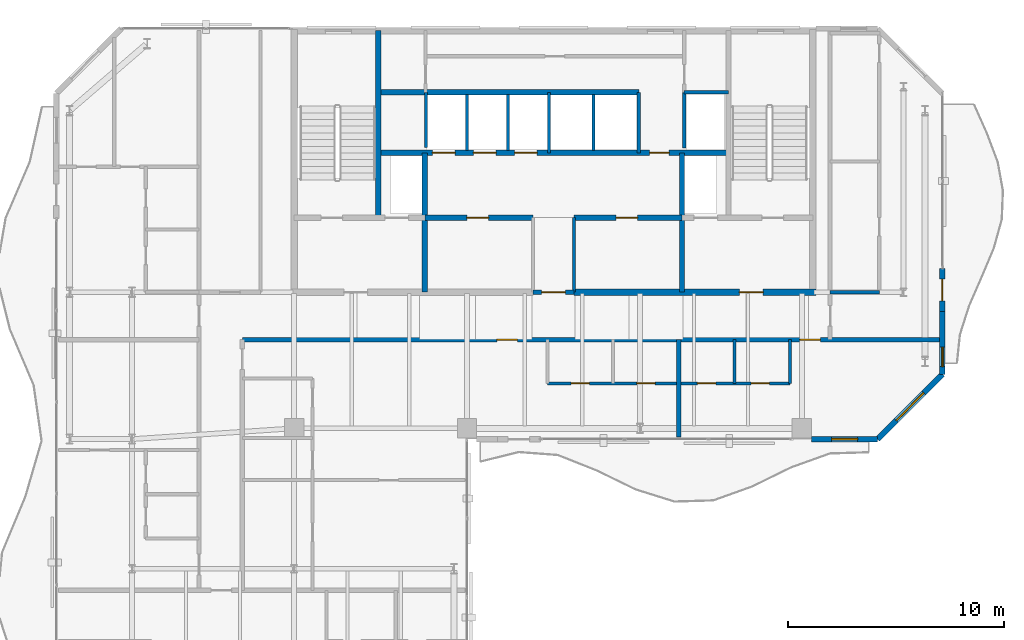
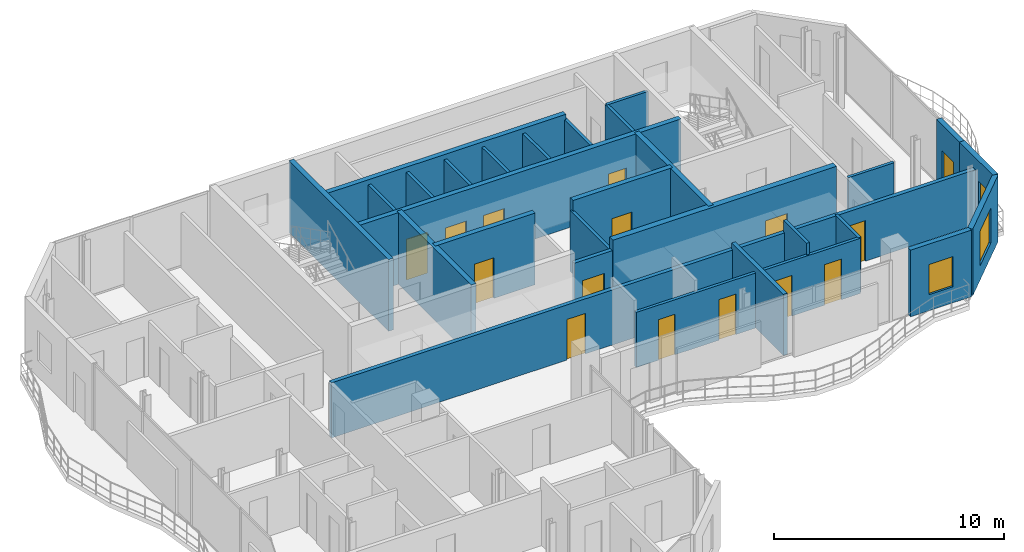
# One storey, part 19 of 22: 28 walls, 15 doors, 3 windows, 18 openings.
"""IFC4 building model written with IfcOpenShell, lengths in metres."""

from ifc_helpers import new_model, si_unit, direction, frame, frame_2d, origin, place, context, subcontext, project, spatial, rectangle, extrude, material, layer, layer_set, type_object, element, fill, save


model = new_model("IFC4")

# Units and contexts
model_context = context("Model", 3, precision=1e-05, world=origin(), true_north=direction((0.0, 1.0)))
body_context = subcontext(model_context, "Body", "Model", "MODEL_VIEW")
ifc_project = project(units=[si_unit("LENGTHUNIT", "METRE"), si_unit("AREAUNIT", "SQUARE_METRE"), si_unit("VOLUMEUNIT", "CUBIC_METRE"), si_unit("PLANEANGLEUNIT", "RADIAN"), si_unit("MASSUNIT", "GRAM", prefix="KILO")], contexts=[model_context])

# Site, building, storey
site_placement = place(None, origin())
site = spatial("IfcSite", under=ifc_project, at=site_placement, CompositionType="ELEMENT")
building_placement = place(site_placement, origin())
building = spatial("IfcBuilding", under=site, at=building_placement, Name="Catumbela Crestline Tower", CompositionType="ELEMENT")
storey_placement = place(building_placement, frame((0.0, 0.0, 222.2)))
storey = spatial("IfcBuildingStorey", under=building, at=storey_placement, Name="L57", CompositionType="ELEMENT", Elevation=222.2)

# Walls
ifc_material_1 = material(Name="Concrete C50/60", Category="concrete")
ifc_layer_1 = layer(ifc_material_1, 0.25, Name="Concrete C50/60")
ifc_layer_set_1 = layer_set([ifc_layer_1], Name="Concrete C50/60")
wall_type_1 = type_object("IfcWallType", Name="CW-250D", PredefinedType="SHEAR", material=ifc_layer_set_1)
wall_1_placement = place(storey_placement, frame((19.9, 34.25, 0.0), z_axis=(0.0, 0.0, 1.0), x_axis=(0.0, 1.0, 0.0)))
element("IfcWall", 1, at=wall_1_placement, inside=storey, type_object=wall_type_1, Name="L57 Structural Core Shear Wall WWEB", PredefinedType="SHEAR", context=body_context, shape_type="SweptSolid", body=[
    extrude(rectangle(XDim=8.65, YDim=0.25, at=frame_2d((4.325, 0.0))), origin(), (0.0, 0.0, 1.0), 3.8),
])
for number, where, z_axis, x_axis, name in (
    (2, (22.05, 30.8, 0.0), (0.0, 0.0, 1.0), (0.0, 1.0, 0.0), "L57 Structural Core Shear Wall FFW"),
    (3, (33.95, 30.8, 0.0), (0.0, 0.0, 1.0), (0.0, 1.0, 0.0), "L57 Structural Core Shear Wall FFE"),
):
    element("IfcWall", number, at=place(storey_placement, frame(where, z_axis=z_axis, x_axis=x_axis)), inside=storey, type_object=wall_type_1, Name=name, PredefinedType="SHEAR", context=body_context, shape_type="SweptSolid", body=[
        extrude(rectangle(XDim=6.45, YDim=0.25, at=frame_2d((3.225, 0.0))), origin(), (0.0, 0.0, 1.0), 3.8),
    ])

# Wall, opening, door
wall_2_placement = place(storey_placement, frame((22.05, 34.25, 0.0), z_axis=(0.0, 0.0, 1.0), x_axis=(1.0, 0.0, 0.0)))
wall_2 = element("IfcWall", 4, at=wall_2_placement, inside=storey, type_object=wall_type_1, Name="L57 Structural Core Shear Wall LIFTS-W", PredefinedType="SHEAR", context=body_context, shape_type="SweptSolid", body=[
    extrude(rectangle(XDim=5.0, YDim=0.25, at=frame_2d((2.5, 0.0))), origin(), (0.0, 0.0, 1.0), 3.8),
])
opening_1_placement = place(wall_2_placement, frame((1.95, 0.0, 0.0)))
opening_1 = element("IfcOpeningElement", 5, at=opening_1_placement, cuts=wall_2, Name="Opening DF9-100", PredefinedType="OPENING", context=body_context, shape_type="SweptSolid", body=[
    extrude(rectangle(XDim=1.0, YDim=2.15, at=frame_2d((0.5, 1.075))), frame((0.0, 0.135, 0.0), z_axis=(0.0, -1.0, 0.0), x_axis=(1.0, 0.0, 0.0)), (0.0, 0.0, 1.0), 0.27),
])
ifc_material_2 = material(Name="Stainless steel EN 1.4401", Category="steel")
door_type_1 = type_object("IfcDoorType", Name="DF9-100", OperationType="NOTDEFINED", PredefinedType="DOOR", material=ifc_material_2)
door_1_placement = place(opening_1_placement, origin())
door_1 = element("IfcDoor", 6, at=door_1_placement, inside=storey, type_object=door_type_1, Name="L57 Interior Door DR-L57-RECL1", OperationType="SINGLE_SWING_LEFT", OverallHeight=2.15, OverallWidth=1.0, PredefinedType="DOOR", context=body_context, shape_type="SweptSolid", body=[
    extrude(rectangle(XDim=1.0, YDim=2.15, at=frame_2d((0.5, 1.075))), frame((0.0, 0.025, 0.0), z_axis=(0.0, -1.0, 0.0), x_axis=(1.0, 0.0, 0.0)), (0.0, 0.0, 1.0), 0.05),
])
fill(opening_1, door_1)

wall_3_placement = place(storey_placement, frame((28.95, 34.25, 0.0), z_axis=(0.0, 0.0, 1.0), x_axis=(1.0, 0.0, 0.0)))
wall_3 = element("IfcWall", 7, at=wall_3_placement, inside=storey, type_object=wall_type_1, Name="L57 Structural Core Shear Wall LIFTS-E", PredefinedType="SHEAR", context=body_context, shape_type="SweptSolid", body=[
    extrude(rectangle(XDim=5.0, YDim=0.25, at=frame_2d((2.5, 0.0))), origin(), (0.0, 0.0, 1.0), 3.8),
])
opening_2_placement = place(wall_3_placement, frame((1.95, 0.0, 0.0)))
opening_2 = element("IfcOpeningElement", 8, at=opening_2_placement, cuts=wall_3, Name="Opening DF9-100", PredefinedType="OPENING", context=body_context, shape_type="SweptSolid", body=[
    extrude(rectangle(XDim=1.0, YDim=2.15, at=frame_2d((0.5, 1.075))), frame((0.0, 0.135, 0.0), z_axis=(0.0, -1.0, 0.0), x_axis=(1.0, 0.0, 0.0)), (0.0, 0.0, 1.0), 0.27),
])
door_2_placement = place(opening_2_placement, origin())
door_2 = element("IfcDoor", 9, at=door_2_placement, inside=storey, type_object=door_type_1, Name="L57 Interior Door DR-L57-RECL2", OperationType="SINGLE_SWING_RIGHT", OverallHeight=2.15, OverallWidth=1.0, PredefinedType="DOOR", context=body_context, shape_type="SweptSolid", body=[
    extrude(rectangle(XDim=1.0, YDim=2.15, at=frame_2d((0.5, 1.075))), frame((0.0, 0.025, 0.0), z_axis=(0.0, -1.0, 0.0), x_axis=(1.0, 0.0, 0.0)), (0.0, 0.0, 1.0), 0.05),
])
fill(opening_2, door_2)

# Wall, openings, doors
wall_4_placement = place(storey_placement, frame((19.9, 37.25, 0.0), z_axis=(0.0, 0.0, 1.0), x_axis=(1.0, 0.0, 0.0)))
wall_4 = element("IfcWall", 10, at=wall_4_placement, inside=storey, type_object=wall_type_1, Name="L57 Structural Core Shear Wall LIFTN", PredefinedType="SHEAR", context=body_context, shape_type="SweptSolid", body=[
    extrude(rectangle(XDim=16.2, YDim=0.25, at=frame_2d((8.1, 0.0))), origin(), (0.0, 0.0, 1.0), 3.8),
])
opening_3_placement = place(wall_4_placement, frame((12.55, 0.0, 0.0)))
opening_3 = element("IfcOpeningElement", 11, at=opening_3_placement, cuts=wall_4, Name="Opening DF9-090", PredefinedType="OPENING", context=body_context, shape_type="SweptSolid", body=[
    extrude(rectangle(XDim=0.9, YDim=2.15, at=frame_2d((0.45, 1.075))), frame((0.0, 0.135, 0.0), z_axis=(0.0, -1.0, 0.0), x_axis=(1.0, 0.0, 0.0)), (0.0, 0.0, 1.0), 0.27),
])
opening_4_placement = place(wall_4_placement, frame((2.5, 0.0, 0.0)))
opening_4 = element("IfcOpeningElement", 12, at=opening_4_placement, cuts=wall_4, Name="Opening LD-105", PredefinedType="OPENING", context=body_context, shape_type="SweptSolid", body=[
    extrude(rectangle(XDim=1.05, YDim=2.15, at=frame_2d((0.525, 1.075))), frame((0.0, 0.135, 0.0), z_axis=(0.0, -1.0, 0.0), x_axis=(1.0, 0.0, 0.0)), (0.0, 0.0, 1.0), 0.27),
])
opening_5_placement = place(wall_4_placement, frame((4.4, 0.0, 0.0)))
opening_5 = element("IfcOpeningElement", 13, at=opening_5_placement, cuts=wall_4, Name="Opening LD-105", PredefinedType="OPENING", context=body_context, shape_type="SweptSolid", body=[
    extrude(rectangle(XDim=1.05, YDim=2.15, at=frame_2d((0.525, 1.075))), frame((0.0, 0.135, 0.0), z_axis=(0.0, -1.0, 0.0), x_axis=(1.0, 0.0, 0.0)), (0.0, 0.0, 1.0), 0.27),
])
opening_6_placement = place(wall_4_placement, frame((6.3, 0.0, 0.0)))
opening_6 = element("IfcOpeningElement", 14, at=opening_6_placement, cuts=wall_4, Name="Opening LD-105", PredefinedType="OPENING", context=body_context, shape_type="SweptSolid", body=[
    extrude(rectangle(XDim=1.05, YDim=2.15, at=frame_2d((0.525, 1.075))), frame((0.0, 0.135, 0.0), z_axis=(0.0, -1.0, 0.0), x_axis=(1.0, 0.0, 0.0)), (0.0, 0.0, 1.0), 0.27),
])
door_type_2 = type_object("IfcDoorType", Name="DF9-090", OperationType="NOTDEFINED", PredefinedType="DOOR", material=ifc_material_2)
door_3_placement = place(opening_3_placement, origin())
door_3 = element("IfcDoor", 15, at=door_3_placement, inside=storey, type_object=door_type_2, Name="L57 Interior Door DR-L57-CPAS1", OperationType="SINGLE_SWING_LEFT", OverallHeight=2.15, OverallWidth=0.9, PredefinedType="DOOR", context=body_context, shape_type="SweptSolid", body=[
    extrude(rectangle(XDim=0.9, YDim=2.15, at=frame_2d((0.45, 1.075))), frame((0.0, 0.025, 0.0), z_axis=(0.0, -1.0, 0.0), x_axis=(1.0, 0.0, 0.0)), (0.0, 0.0, 1.0), 0.05),
])
fill(opening_3, door_3)
door_type_3 = type_object("IfcDoorType", Name="LD-105", OperationType="NOTDEFINED", PredefinedType="DOOR", material=ifc_material_2)
door_4_placement = place(opening_4_placement, origin())
door_4 = element("IfcDoor", 16, at=door_4_placement, inside=storey, type_object=door_type_3, Name="L57 Lift Landing Sliding Door PL-H1", OperationType="DOUBLE_DOOR_SLIDING", OverallHeight=2.15, OverallWidth=1.05, PredefinedType="DOOR", context=body_context, shape_type="SweptSolid", body=[
    extrude(rectangle(XDim=1.05, YDim=2.15, at=frame_2d((0.525, 1.075))), frame((0.0, 0.025, 0.0), z_axis=(0.0, -1.0, 0.0), x_axis=(1.0, 0.0, 0.0)), (0.0, 0.0, 1.0), 0.05),
])
fill(opening_4, door_4)
door_5_placement = place(opening_5_placement, origin())
door_5 = element("IfcDoor", 17, at=door_5_placement, inside=storey, type_object=door_type_3, Name="L57 Lift Landing Sliding Door PL-H2", OperationType="DOUBLE_DOOR_SLIDING", OverallHeight=2.15, OverallWidth=1.05, PredefinedType="DOOR", context=body_context, shape_type="SweptSolid", body=[
    extrude(rectangle(XDim=1.05, YDim=2.15, at=frame_2d((0.525, 1.075))), frame((0.0, 0.025, 0.0), z_axis=(0.0, -1.0, 0.0), x_axis=(1.0, 0.0, 0.0)), (0.0, 0.0, 1.0), 0.05),
])
fill(opening_5, door_5)
door_6_placement = place(opening_6_placement, origin())
door_6 = element("IfcDoor", 18, at=door_6_placement, inside=storey, type_object=door_type_3, Name="L57 Lift Landing Sliding Door PL-H3", OperationType="DOUBLE_DOOR_SLIDING", OverallHeight=2.15, OverallWidth=1.05, PredefinedType="DOOR", context=body_context, shape_type="SweptSolid", body=[
    extrude(rectangle(XDim=1.05, YDim=2.15, at=frame_2d((0.525, 1.075))), frame((0.0, 0.025, 0.0), z_axis=(0.0, -1.0, 0.0), x_axis=(1.0, 0.0, 0.0)), (0.0, 0.0, 1.0), 0.05),
])
fill(opening_6, door_6)

# Wall
wall_5_placement = place(storey_placement, frame((19.9, 40.05, 0.0), z_axis=(0.0, 0.0, 1.0), x_axis=(1.0, 0.0, 0.0)))
element("IfcWall", 19, at=wall_5_placement, inside=storey, type_object=wall_type_1, Name="L57 Structural Core Shear Wall COREN", PredefinedType="SHEAR", context=body_context, shape_type="SweptSolid", body=[
    extrude(rectangle(XDim=12.05, YDim=0.25, at=frame_2d((6.025, 0.0))), origin(), (0.0, 0.0, 1.0), 3.8),
])

# Wall, opening, door
ifc_material_3 = material(Name="Concrete C45/55", Category="concrete")
ifc_layer_2 = layer(ifc_material_3, 0.3, Name="Concrete C45/55")
ifc_layer_set_2 = layer_set([ifc_layer_2], Name="Concrete C45/55")
wall_type_2 = type_object("IfcWallType", Name="CW-300C", PredefinedType="SHEAR", material=ifc_layer_set_2)
wall_6_placement = place(storey_placement, frame((28.95, 30.8, 0.0), z_axis=(0.0, 0.0, 1.0), x_axis=(1.0, 0.0, 0.0)))
wall_6 = element("IfcWall", 20, at=wall_6_placement, inside=storey, type_object=wall_type_2, Name="L57 Structural Core Shear Wall SE", PredefinedType="SHEAR", context=body_context, shape_type="SweptSolid", body=[
    extrude(rectangle(XDim=11.2, YDim=0.3, at=frame_2d((5.6, 0.0))), origin(), (0.0, 0.0, 1.0), 3.8),
])
opening_7_placement = place(wall_6_placement, frame((7.65, 0.0, 0.0)))
opening_7 = element("IfcOpeningElement", 21, at=opening_7_placement, cuts=wall_6, Name="Opening DF9-110", PredefinedType="OPENING", context=body_context, shape_type="SweptSolid", body=[
    extrude(rectangle(XDim=1.1, YDim=2.15, at=frame_2d((0.55, 1.075))), frame((0.0, 0.16, 0.0), z_axis=(0.0, -1.0, 0.0), x_axis=(1.0, 0.0, 0.0)), (0.0, 0.0, 1.0), 0.32),
])
door_type_4 = type_object("IfcDoorType", Name="DF9-110", OperationType="NOTDEFINED", PredefinedType="DOOR", material=ifc_material_2)
door_7_placement = place(opening_7_placement, origin())
door_7 = element("IfcDoor", 22, at=door_7_placement, inside=storey, type_object=door_type_4, Name="L57 Interior Door DR-L57-FFE-S", OperationType="SINGLE_SWING_RIGHT", OverallHeight=2.15, OverallWidth=1.1, PredefinedType="DOOR", context=body_context, shape_type="SweptSolid", body=[
    extrude(rectangle(XDim=1.1, YDim=2.15, at=frame_2d((0.55, 1.075))), frame((0.0, 0.025, 0.0), z_axis=(0.0, -1.0, 0.0), x_axis=(1.0, 0.0, 0.0)), (0.0, 0.0, 1.0), 0.05),
])
fill(opening_7, door_7)

ifc_material_4 = material(Name="Acoustic gypsum and mineral-wool partition")
ifc_layer_3 = layer(ifc_material_4, 0.2, Name="Acoustic gypsum and mineral-wool partition")
ifc_layer_set_3 = layer_set([ifc_layer_3], Name="Acoustic gypsum and mineral-wool partition")
wall_type_3 = type_object("IfcWallType", Name="WC-200", PredefinedType="PARTITIONING", material=ifc_layer_set_3)
wall_7_placement = place(storey_placement, frame((27.05, 30.8, 0.0), z_axis=(0.0, 0.0, 1.0), x_axis=(1.0, 0.0, 0.0)))
wall_7 = element("IfcWall", 23, at=wall_7_placement, inside=storey, type_object=wall_type_3, Name="L57 Interior Partition PW-L57-CLOBS", PredefinedType="PARTITIONING", context=body_context, shape_type="SweptSolid", body=[
    extrude(rectangle(XDim=1.9, YDim=0.2, at=frame_2d((0.95, 0.0))), origin(), (0.0, 0.0, 1.0), 3.22),
])
opening_8_placement = place(wall_7_placement, frame((0.4, 0.0, 0.0)))
opening_8 = element("IfcOpeningElement", 24, at=opening_8_placement, cuts=wall_7, Name="Opening DF9-110", PredefinedType="OPENING", context=body_context, shape_type="SweptSolid", body=[
    extrude(rectangle(XDim=1.1, YDim=2.15, at=frame_2d((0.55, 1.075))), frame((0.0, 0.11, 0.0), z_axis=(0.0, -1.0, 0.0), x_axis=(1.0, 0.0, 0.0)), (0.0, 0.0, 1.0), 0.22),
])
door_8_placement = place(opening_8_placement, origin())
door_8 = element("IfcDoor", 25, at=door_8_placement, inside=storey, type_object=door_type_4, Name="L57 Interior Door DR-L57-CLOBS", OperationType="SINGLE_SWING_LEFT", OverallHeight=2.15, OverallWidth=1.1, PredefinedType="DOOR", context=body_context, shape_type="SweptSolid", body=[
    extrude(rectangle(XDim=1.1, YDim=2.15, at=frame_2d((0.55, 1.075))), frame((0.0, 0.025, 0.0), z_axis=(0.0, -1.0, 0.0), x_axis=(1.0, 0.0, 0.0)), (0.0, 0.0, 1.0), 0.05),
])
fill(opening_8, door_8)

# Wall, openings, doors
wall_8_placement = place(storey_placement, frame((13.6, 28.6, 0.0), z_axis=(0.0, 0.0, 1.0), x_axis=(1.0, 0.0, 0.0)))
wall_8 = element("IfcWall", 26, at=wall_8_placement, inside=storey, type_object=wall_type_3, Name="L57 Interior Partition PW-L57-RCWR", PredefinedType="PARTITIONING", context=body_context, shape_type="SweptSolid", body=[
    extrude(rectangle(XDim=32.3, YDim=0.2, at=frame_2d((16.15, 0.0))), origin(), (0.0, 0.0, 1.0), 2.92),
])
opening_9_placement = place(wall_8_placement, frame((11.787, 0.0, 0.0)))
opening_9 = element("IfcOpeningElement", 27, at=opening_9_placement, cuts=wall_8, Name="Opening DF6-095", PredefinedType="OPENING", context=body_context, shape_type="SweptSolid", body=[
    extrude(rectangle(XDim=0.95, YDim=2.15, at=frame_2d((0.475, 1.075))), frame((0.0, 0.11, 0.0), z_axis=(0.0, -1.0, 0.0), x_axis=(1.0, 0.0, 0.0)), (0.0, 0.0, 1.0), 0.22),
])
opening_10_placement = place(wall_8_placement, frame((25.8, 0.0, 0.0)))
opening_10 = element("IfcOpeningElement", 28, at=opening_10_placement, cuts=wall_8, Name="Opening DF6-095", PredefinedType="OPENING", context=body_context, shape_type="SweptSolid", body=[
    extrude(rectangle(XDim=0.95, YDim=2.15, at=frame_2d((0.475, 1.075))), frame((0.0, 0.11, 0.0), z_axis=(0.0, -1.0, 0.0), x_axis=(1.0, 0.0, 0.0)), (0.0, 0.0, 1.0), 0.22),
])
ifc_material_5 = material(Name="Aluminium alloy AW-6060-T66", Category="aluminium")
door_type_5 = type_object("IfcDoorType", Name="DF6-095", OperationType="NOTDEFINED", PredefinedType="DOOR", material=ifc_material_5)
door_9_placement = place(opening_9_placement, origin())
door_9 = element("IfcDoor", 29, at=door_9_placement, inside=storey, type_object=door_type_5, Name="L57 Interior Door DR-L57-S1-ENT", OperationType="SINGLE_SWING_LEFT", OverallHeight=2.15, OverallWidth=0.95, PredefinedType="DOOR", context=body_context, shape_type="SweptSolid", body=[
    extrude(rectangle(XDim=0.95, YDim=2.15, at=frame_2d((0.475, 1.075))), frame((0.0, 0.025, 0.0), z_axis=(0.0, -1.0, 0.0), x_axis=(1.0, 0.0, 0.0)), (0.0, 0.0, 1.0), 0.05),
])
fill(opening_9, door_9)
door_10_placement = place(opening_10_placement, origin())
door_10 = element("IfcDoor", 30, at=door_10_placement, inside=storey, type_object=door_type_5, Name="L57 Interior Door DR-L57-S2-ENT", OperationType="SINGLE_SWING_RIGHT", OverallHeight=2.15, OverallWidth=0.95, PredefinedType="DOOR", context=body_context, shape_type="SweptSolid", body=[
    extrude(rectangle(XDim=0.95, YDim=2.15, at=frame_2d((0.475, 1.075))), frame((0.0, 0.025, 0.0), z_axis=(0.0, -1.0, 0.0), x_axis=(1.0, 0.0, 0.0)), (0.0, 0.0, 1.0), 0.05),
])
fill(opening_10, door_10)

# Wall, opening, window
ifc_material_6 = material(Name="Angolan grey-ochre granite", Category="masonry")
ifc_layer_4 = layer(ifc_material_6, 0.25, Name="Angolan grey-ochre granite")
ifc_layer_set_4 = layer_set([ifc_layer_4], Name="Angolan grey-ochre granite")
wall_type_4 = type_object("IfcWallType", Name="WE-250", PredefinedType="STANDARD", material=ifc_layer_set_4)
wall_9_placement = place(storey_placement, frame((39.95, 24.0, 0.0), z_axis=(0.0, 0.0, 1.0), x_axis=(1.0, 0.0, 0.0)))
wall_9 = element("IfcWall", 31, at=wall_9_placement, inside=storey, type_object=wall_type_4, Name="L57 Granite Punched Window Wall 3-3", PredefinedType="STANDARD", context=body_context, shape_type="SweptSolid", body=[
    extrude(rectangle(XDim=3.05, YDim=0.25, at=frame_2d((1.525, 0.0))), origin(), (0.0, 0.0, 1.0), 3.53),
])
opening_11_placement = place(wall_9_placement, frame((0.925, 0.0, 0.85)))
opening_11 = element("IfcOpeningElement", 32, at=opening_11_placement, cuts=wall_9, Name="Opening WN-02", PredefinedType="OPENING", context=body_context, shape_type="SweptSolid", body=[
    extrude(rectangle(XDim=1.2, YDim=1.6, at=frame_2d((0.6, 0.8))), frame((0.0, 0.135, 0.0), z_axis=(0.0, -1.0, 0.0), x_axis=(1.0, 0.0, 0.0)), (0.0, 0.0, 1.0), 0.27),
])
ifc_material_7 = material(Name="Low-E laminated solar-control double glazing", Category="glass")
window_type_1 = type_object("IfcWindowType", Name="WO-1200", PartitioningType="SINGLE_PANEL", PredefinedType="WINDOW", material=ifc_material_7)
window_1_placement = place(opening_11_placement, origin())
window_1 = element("IfcWindow", 33, at=window_1_placement, inside=storey, type_object=window_type_1, Name="L57 Facade Vision Window 396", OverallHeight=1.6, OverallWidth=1.2, PartitioningType="SINGLE_PANEL", PredefinedType="WINDOW", context=body_context, shape_type="SweptSolid", body=[
    extrude(rectangle(XDim=1.2, YDim=1.6, at=frame_2d((0.6, 0.8))), frame((0.0, 0.03, 0.0), z_axis=(0.0, -1.0, 0.0), x_axis=(1.0, 0.0, 0.0)), (0.0, 0.0, 1.0), 0.06),
])
fill(opening_11, window_1)

wall_10_placement = place(storey_placement, frame((43.0, 24.0, 0.0), z_axis=(0.0, 0.0, 1.0), x_axis=(0.707106781187, 0.707106781187, 0.0)))
wall_10 = element("IfcWall", 34, at=wall_10_placement, inside=storey, type_object=wall_type_4, Name="L57 Granite Punched Window Wall 4-1", PredefinedType="STANDARD", context=body_context, shape_type="SweptSolid", body=[
    extrude(rectangle(XDim=4.2426, YDim=0.25, at=frame_2d((2.1213, 0.0))), origin(), (0.0, 0.0, 1.0), 3.53),
])
opening_12_placement = place(wall_10_placement, frame((1.2213, 0.0, 0.75)))
opening_12 = element("IfcOpeningElement", 35, at=opening_12_placement, cuts=wall_10, Name="Opening WN-01", PredefinedType="OPENING", context=body_context, shape_type="SweptSolid", body=[
    extrude(rectangle(XDim=1.8, YDim=1.85, at=frame_2d((0.9, 0.925))), frame((0.0, 0.135, 0.0), z_axis=(0.0, -1.0, 0.0), x_axis=(1.0, 0.0, 0.0)), (0.0, 0.0, 1.0), 0.27),
])
window_type_2 = type_object("IfcWindowType", Name="WF-1800", PartitioningType="SINGLE_PANEL", PredefinedType="WINDOW", material=ifc_material_7)
window_2_placement = place(opening_12_placement, origin())
window_2 = element("IfcWindow", 36, at=window_2_placement, inside=storey, type_object=window_type_2, Name="L57 Facade Vision Window 397", OverallHeight=1.85, OverallWidth=1.8, PartitioningType="SINGLE_PANEL", PredefinedType="WINDOW", context=body_context, shape_type="SweptSolid", body=[
    extrude(rectangle(XDim=1.8, YDim=1.85, at=frame_2d((0.9, 0.925))), frame((0.0, 0.03, 0.0), z_axis=(0.0, -1.0, 0.0), x_axis=(1.0, 0.0, 0.0)), (0.0, 0.0, 1.0), 0.06),
])
fill(opening_12, window_2)

# Wall, opening, door
wall_11_placement = place(storey_placement, frame((46.0, 29.9, 0.0), z_axis=(0.0, 0.0, 1.0), x_axis=(0.0, 1.0, 0.0)))
wall_11 = element("IfcWall", 37, at=wall_11_placement, inside=storey, type_object=wall_type_4, Name="L57 Exterior Threshold Portal Wall DR-L57-WBAL-2", PredefinedType="STANDARD", context=body_context, shape_type="SweptSolid", body=[
    extrude(rectangle(XDim=2.0, YDim=0.25, at=frame_2d((1.0, 0.0))), origin(), (0.0, 0.0, 1.0), 3.53),
])
opening_13_placement = place(wall_11_placement, frame((0.5, 0.0, 0.0)))
opening_13 = element("IfcOpeningElement", 38, at=opening_13_placement, cuts=wall_11, Name="Opening DB-L57-2", PredefinedType="OPENING", context=body_context, shape_type="SweptSolid", body=[
    extrude(rectangle(XDim=1.0, YDim=2.15, at=frame_2d((0.5, 1.075))), frame((0.0, 0.135, 0.0), z_axis=(0.0, -1.0, 0.0), x_axis=(1.0, 0.0, 0.0)), (0.0, 0.0, 1.0), 0.27),
])
door_type_6 = type_object("IfcDoorType", Name="DB-1000", OperationType="NOTDEFINED", PredefinedType="DOOR", material=ifc_material_5)
door_11_placement = place(opening_13_placement, origin())
door_11 = element("IfcDoor", 39, at=door_11_placement, inside=storey, type_object=door_type_6, Name="L57 Wave Balcony Terrace Door 2", OperationType="SINGLE_SWING_RIGHT", OverallHeight=2.15, OverallWidth=1.0, PredefinedType="DOOR", context=body_context, shape_type="SweptSolid", body=[
    extrude(rectangle(XDim=1.0, YDim=2.15, at=frame_2d((0.5, 1.075))), frame((0.0, 0.025, 0.0), z_axis=(0.0, -1.0, 0.0), x_axis=(1.0, 0.0, 0.0)), (0.0, 0.0, 1.0), 0.05),
])
fill(opening_13, door_11)

# Wall, opening, window
wall_12_placement = place(storey_placement, frame((46.0, 27.0, 0.0), z_axis=(0.0, 0.0, 1.0), x_axis=(0.0, 1.0, 0.0)))
wall_12 = element("IfcWall", 40, at=wall_12_placement, inside=storey, type_object=wall_type_4, Name="L57 Granite Punched Window Wall 5-1", PredefinedType="STANDARD", context=body_context, shape_type="SweptSolid", body=[
    extrude(rectangle(XDim=2.9, YDim=0.25, at=frame_2d((1.45, 0.0))), origin(), (0.0, 0.0, 1.0), 3.53),
])
opening_14_placement = place(wall_12_placement, frame((0.36, 0.0, 0.9)))
opening_14 = element("IfcOpeningElement", 41, at=opening_14_placement, cuts=wall_12, Name="Opening WN-03", PredefinedType="OPENING", context=body_context, shape_type="SweptSolid", body=[
    extrude(rectangle(XDim=0.9, YDim=1.55, at=frame_2d((0.45, 0.775))), frame((0.0, 0.135, 0.0), z_axis=(0.0, -1.0, 0.0), x_axis=(1.0, 0.0, 0.0)), (0.0, 0.0, 1.0), 0.27),
])
window_type_3 = type_object("IfcWindowType", Name="WO-0900", PartitioningType="SINGLE_PANEL", PredefinedType="WINDOW", material=ifc_material_7)
window_3_placement = place(opening_14_placement, origin())
window_3 = element("IfcWindow", 42, at=window_3_placement, inside=storey, type_object=window_type_3, Name="L57 Facade Vision Window 398", OverallHeight=1.55, OverallWidth=0.9, PartitioningType="SINGLE_PANEL", PredefinedType="WINDOW", context=body_context, shape_type="SweptSolid", body=[
    extrude(rectangle(XDim=0.9, YDim=1.55, at=frame_2d((0.45, 0.775))), frame((0.0, 0.03, 0.0), z_axis=(0.0, -1.0, 0.0), x_axis=(1.0, 0.0, 0.0)), (0.0, 0.0, 1.0), 0.06),
])
fill(opening_14, window_3)

# Walls
ifc_layer_5 = layer(ifc_material_4, 0.15, Name="Acoustic gypsum and mineral-wool partition")
ifc_layer_set_5 = layer_set([ifc_layer_5], Name="Acoustic gypsum and mineral-wool partition")
wall_type_5 = type_object("IfcWallType", Name="WP-150", PredefinedType="PARTITIONING", material=ifc_layer_set_5)
wall_13_placement = place(storey_placement, frame((34.05, 40.05, 0.0), z_axis=(0.0, 0.0, 1.0), x_axis=(1.0, 0.0, 0.0)))
element("IfcWall", 43, at=wall_13_placement, inside=storey, type_object=wall_type_5, Name="L57 Interior Partition PW-L57-CR-ES", PredefinedType="PARTITIONING", context=body_context, shape_type="SweptSolid", body=[
    extrude(rectangle(XDim=2.05, YDim=0.15, at=frame_2d((1.025, 0.0))), origin(), (0.0, 0.0, 1.0), 3.53),
])
wall_14_placement = place(storey_placement, frame((40.8, 30.8, 0.0), z_axis=(0.0, 0.0, 1.0), x_axis=(1.0, 0.0, 0.0)))
element("IfcWall", 44, at=wall_14_placement, inside=storey, type_object=wall_type_5, Name="L57 Interior Partition PW-L57-NE1-KBS", PredefinedType="PARTITIONING", context=body_context, shape_type="SweptSolid", body=[
    extrude(rectangle(XDim=2.28, YDim=0.15, at=frame_2d((1.14, 0.0))), origin(), (0.0, 0.0, 1.0), 2.92),
])

# Wall, openings, doors
wall_15_placement = place(storey_placement, frame((27.724, 26.576, 0.0), z_axis=(0.0, 0.0, 1.0), x_axis=(1.0, 0.0, 0.0)))
wall_15 = element("IfcWall", 45, at=wall_15_placement, inside=storey, type_object=wall_type_5, Name="L57 Interior Partition PW-L57-S1-KBD1", PredefinedType="PARTITIONING", context=body_context, shape_type="SweptSolid", body=[
    extrude(rectangle(XDim=11.226, YDim=0.15, at=frame_2d((5.613, 0.0))), origin(), (0.0, 0.0, 1.0), 2.92),
])
opening_15_placement = place(wall_15_placement, frame((1.094, 0.0, 0.0)))
opening_15 = element("IfcOpeningElement", 46, at=opening_15_placement, cuts=wall_15, Name="Opening DI-085", PredefinedType="OPENING", context=body_context, shape_type="SweptSolid", body=[
    extrude(rectangle(XDim=0.85, YDim=2.15, at=frame_2d((0.425, 1.075))), frame((0.0, 0.085, 0.0), z_axis=(0.0, -1.0, 0.0), x_axis=(1.0, 0.0, 0.0)), (0.0, 0.0, 1.0), 0.17),
])
opening_16_placement = place(wall_15_placement, frame((4.132, 0.0, 0.0)))
opening_16 = element("IfcOpeningElement", 47, at=opening_16_placement, cuts=wall_15, Name="Opening DI-085", PredefinedType="OPENING", context=body_context, shape_type="SweptSolid", body=[
    extrude(rectangle(XDim=0.85, YDim=2.15, at=frame_2d((0.425, 1.075))), frame((0.0, 0.085, 0.0), z_axis=(0.0, -1.0, 0.0), x_axis=(1.0, 0.0, 0.0)), (0.0, 0.0, 1.0), 0.17),
])
opening_17_placement = place(wall_15_placement, frame((6.9385, 0.0, 0.0)))
opening_17 = element("IfcOpeningElement", 48, at=opening_17_placement, cuts=wall_15, Name="Opening DI-085", PredefinedType="OPENING", context=body_context, shape_type="SweptSolid", body=[
    extrude(rectangle(XDim=0.85, YDim=2.15, at=frame_2d((0.425, 1.075))), frame((0.0, 0.085, 0.0), z_axis=(0.0, -1.0, 0.0), x_axis=(1.0, 0.0, 0.0)), (0.0, 0.0, 1.0), 0.17),
])
opening_18_placement = place(wall_15_placement, frame((9.4225, 0.0, 0.0)))
opening_18 = element("IfcOpeningElement", 49, at=opening_18_placement, cuts=wall_15, Name="Opening DI-085", PredefinedType="OPENING", context=body_context, shape_type="SweptSolid", body=[
    extrude(rectangle(XDim=0.85, YDim=2.15, at=frame_2d((0.425, 1.075))), frame((0.0, 0.085, 0.0), z_axis=(0.0, -1.0, 0.0), x_axis=(1.0, 0.0, 0.0)), (0.0, 0.0, 1.0), 0.17),
])
door_type_7 = type_object("IfcDoorType", Name="DI-085", OperationType="NOTDEFINED", PredefinedType="DOOR", material=ifc_material_5)
door_12_placement = place(opening_15_placement, origin())
door_12 = element("IfcDoor", 50, at=door_12_placement, inside=storey, type_object=door_type_7, Name="L57 Interior Door DR-L57-S1-BTH", OperationType="SINGLE_SWING_LEFT", OverallHeight=2.15, OverallWidth=0.85, PredefinedType="DOOR", context=body_context, shape_type="SweptSolid", body=[
    extrude(rectangle(XDim=0.85, YDim=2.15, at=frame_2d((0.425, 1.075))), frame((0.0, 0.025, 0.0), z_axis=(0.0, -1.0, 0.0), x_axis=(1.0, 0.0, 0.0)), (0.0, 0.0, 1.0), 0.05),
])
fill(opening_15, door_12)
door_13_placement = place(opening_16_placement, origin())
door_13 = element("IfcDoor", 51, at=door_13_placement, inside=storey, type_object=door_type_7, Name="L57 Interior Door DR-L57-S1-KIT", OperationType="SINGLE_SWING_RIGHT", OverallHeight=2.15, OverallWidth=0.85, PredefinedType="DOOR", context=body_context, shape_type="SweptSolid", body=[
    extrude(rectangle(XDim=0.85, YDim=2.15, at=frame_2d((0.425, 1.075))), frame((0.0, 0.025, 0.0), z_axis=(0.0, -1.0, 0.0), x_axis=(1.0, 0.0, 0.0)), (0.0, 0.0, 1.0), 0.05),
])
fill(opening_16, door_13)
door_14_placement = place(opening_17_placement, origin())
door_14 = element("IfcDoor", 52, at=door_14_placement, inside=storey, type_object=door_type_7, Name="L57 Interior Door DR-L57-S2-KIT", OperationType="SINGLE_SWING_LEFT", OverallHeight=2.15, OverallWidth=0.85, PredefinedType="DOOR", context=body_context, shape_type="SweptSolid", body=[
    extrude(rectangle(XDim=0.85, YDim=2.15, at=frame_2d((0.425, 1.075))), frame((0.0, 0.025, 0.0), z_axis=(0.0, -1.0, 0.0), x_axis=(1.0, 0.0, 0.0)), (0.0, 0.0, 1.0), 0.05),
])
fill(opening_17, door_14)
door_15_placement = place(opening_18_placement, origin())
door_15 = element("IfcDoor", 53, at=door_15_placement, inside=storey, type_object=door_type_7, Name="L57 Interior Door DR-L57-S2-BTH", OperationType="SINGLE_SWING_RIGHT", OverallHeight=2.15, OverallWidth=0.85, PredefinedType="DOOR", context=body_context, shape_type="SweptSolid", body=[
    extrude(rectangle(XDim=0.85, YDim=2.15, at=frame_2d((0.425, 1.075))), frame((0.0, 0.025, 0.0), z_axis=(0.0, -1.0, 0.0), x_axis=(1.0, 0.0, 0.0)), (0.0, 0.0, 1.0), 0.05),
])
fill(opening_18, door_15)

# Walls
wall_16_placement = place(storey_placement, frame((38.95, 26.576, 0.0), z_axis=(0.0, 0.0, 1.0), x_axis=(0.0, 1.0, 0.0)))
element("IfcWall", 54, at=wall_16_placement, inside=storey, type_object=wall_type_5, Name="L57 Interior Partition PW-L57-S2-KBE", PredefinedType="PARTITIONING", context=body_context, shape_type="SweptSolid", body=[
    extrude(rectangle(XDim=2.024, YDim=0.15, at=frame_2d((1.012, 0.0))), origin(), (0.0, 0.0, 1.0), 2.92),
])
wall_17_placement = place(storey_placement, frame((36.375, 26.576, 0.0), z_axis=(0.0, 0.0, 1.0), x_axis=(0.0, 1.0, 0.0)))
element("IfcWall", 55, at=wall_17_placement, inside=storey, type_object=wall_type_5, Name="L57 Interior Partition PW-L57-S2-KBM", PredefinedType="PARTITIONING", context=body_context, shape_type="SweptSolid", body=[
    extrude(rectangle(XDim=2.024, YDim=0.15, at=frame_2d((1.012, 0.0))), origin(), (0.0, 0.0, 1.0), 3.53),
])
ifc_layer_6 = layer(ifc_material_4, 0.2, Name="Acoustic gypsum and mineral-wool partition")
ifc_layer_set_6 = layer_set([ifc_layer_6], Name="Acoustic gypsum and mineral-wool partition")
wall_type_6 = type_object("IfcWallType", Name="WY-200", PredefinedType="PARTITIONING", material=ifc_layer_set_6)
wall_18_placement = place(storey_placement, frame((33.8, 24.1, 0.0), z_axis=(0.0, 0.0, 1.0), x_axis=(0.0, 1.0, 0.0)))
element("IfcWall", 56, at=wall_18_placement, inside=storey, type_object=wall_type_6, Name="L57 Interior Partition PW-L57-RSPP-2", PredefinedType="PARTITIONING", context=body_context, shape_type="SweptSolid", body=[
    extrude(rectangle(XDim=4.5, YDim=0.2, at=frame_2d((2.25, 0.0))), origin(), (0.0, 0.0, 1.0), 3.24),
])
ifc_layer_7 = layer(ifc_material_4, 0.15, Name="Acoustic gypsum and mineral-wool partition")
ifc_layer_set_7 = layer_set([ifc_layer_7], Name="Acoustic gypsum and mineral-wool partition")
wall_type_7 = type_object("IfcWallType", Name="WS-150", PredefinedType="PLUMBINGWALL", material=ifc_layer_set_7)
wall_19_placement = place(storey_placement, frame((28.95, 30.8, 0.0), z_axis=(0.0, 0.0, 1.0), x_axis=(0.0, 1.0, 0.0)))
element("IfcWall", 57, at=wall_19_placement, inside=storey, type_object=wall_type_7, Name="L57 Interior Partition PW-L57-THRE", PredefinedType="PLUMBINGWALL", context=body_context, shape_type="SweptSolid", body=[
    extrude(rectangle(XDim=3.45, YDim=0.15, at=frame_2d((1.725, 0.0))), origin(), (0.0, 0.0, 1.0), 3.22),
])
wall_20_placement = place(storey_placement, frame((22.1, 37.4897, 0.0), z_axis=(0.0, 0.0, 1.0), x_axis=(0.0, 1.0, 0.0)))
element("IfcWall", 58, at=wall_20_placement, inside=storey, type_object=wall_type_7, Name="L57 Interior Partition PW-L57-SHH0", PredefinedType="PLUMBINGWALL", context=body_context, shape_type="SweptSolid", body=[
    extrude(rectangle(XDim=2.5603, YDim=0.15, at=frame_2d((1.2801, 0.0))), origin(), (0.0, 0.0, 1.0), 3.53),
])
wall_21_placement = place(storey_placement, frame((27.8, 37.25, 0.0), z_axis=(0.0, 0.0, 1.0), x_axis=(0.0, 1.0, 0.0)))
element("IfcWall", 59, at=wall_21_placement, inside=storey, type_object=wall_type_7, Name="L57 Interior Partition PW-L57-SHH3", PredefinedType="PLUMBINGWALL", context=body_context, shape_type="SweptSolid", body=[
    extrude(rectangle(XDim=2.8, YDim=0.15, at=frame_2d((1.4, 0.0))), origin(), (0.0, 0.0, 1.0), 3.53),
])
for number, where, z_axis, x_axis, name in (
    (60, (24.0, 37.35, 0.0), (0.0, 0.0, 1.0), (0.0, 1.0, 0.0), "L57 Interior Partition PW-L57-SHH1"),
    (61, (25.9, 37.35, 0.0), (0.0, 0.0, 1.0), (0.0, 1.0, 0.0), "L57 Interior Partition PW-L57-SHH2"),
):
    element("IfcWall", number, at=place(storey_placement, frame(where, z_axis=z_axis, x_axis=x_axis)), inside=storey, type_object=wall_type_7, Name=name, PredefinedType="PLUMBINGWALL", context=body_context, shape_type="SweptSolid", body=[
        extrude(rectangle(XDim=2.6, YDim=0.15, at=frame_2d((1.3, 0.0))), origin(), (0.0, 0.0, 1.0), 3.53),
    ])
wall_22_placement = place(storey_placement, frame((31.95, 37.25, 0.0), z_axis=(0.0, 0.0, 1.0), x_axis=(0.0, 1.0, 0.0)))
element("IfcWall", 62, at=wall_22_placement, inside=storey, type_object=wall_type_7, Name="L57 Interior Partition PW-L57-SHEX2E", PredefinedType="PLUMBINGWALL", context=body_context, shape_type="SweptSolid", body=[
    extrude(rectangle(XDim=2.8, YDim=0.15, at=frame_2d((1.4, 0.0))), origin(), (0.0, 0.0, 1.0), 3.53),
])
wall_23_placement = place(storey_placement, frame((29.85, 37.35, 0.0), z_axis=(0.0, 0.0, 1.0), x_axis=(0.0, 1.0, 0.0)))
element("IfcWall", 63, at=wall_23_placement, inside=storey, type_object=wall_type_7, Name="L57 Interior Partition PW-L57-SHEX1", PredefinedType="PLUMBINGWALL", context=body_context, shape_type="SweptSolid", body=[
    extrude(rectangle(XDim=2.6, YDim=0.15, at=frame_2d((1.3, 0.0))), origin(), (0.0, 0.0, 1.0), 3.53),
])
wall_24_placement = place(storey_placement, frame((34.05, 37.4734, 0.0), z_axis=(0.0, 0.0, 1.0), x_axis=(0.0, 1.0, 0.0)))
element("IfcWall", 64, at=wall_24_placement, inside=storey, type_object=wall_type_7, Name="L57 Interior Partition PW-L57-RISW", PredefinedType="PLUMBINGWALL", context=body_context, shape_type="SweptSolid", body=[
    extrude(rectangle(XDim=2.5766, YDim=0.15, at=frame_2d((1.2883, 0.0))), origin(), (0.0, 0.0, 1.0), 3.53),
])

save(model, "model.ifc")
